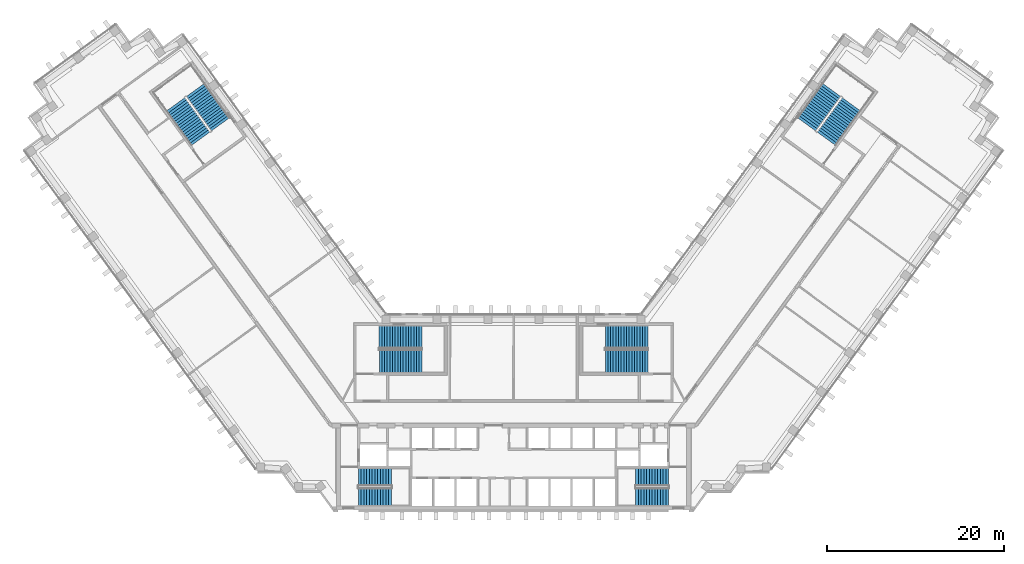
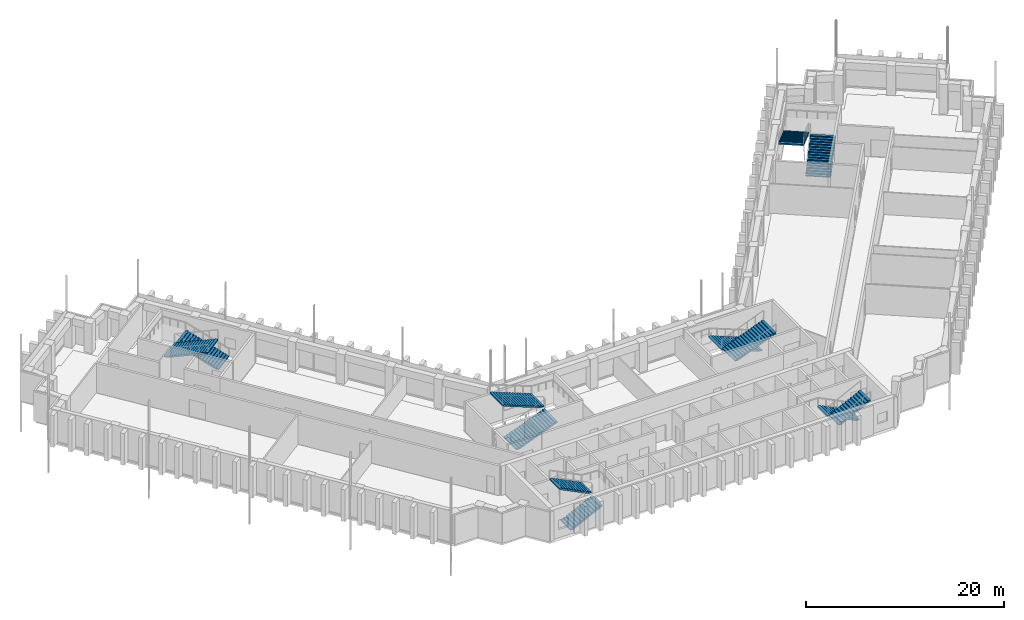
# One storey, part 15 of 18: 12 stair flights, 6 elements without a shape of their own.
"""IFC4 building model written with IfcOpenShell, lengths in metres."""

from ifc_helpers import new_model, si_unit, direction, frame, origin, place, context, subcontext, project, spatial, polyline, outline, extrude, material, type_object, element, aggregate, save


model = new_model("IFC4")

# Units and contexts
model_context = context("Model", 3, precision=1e-05, world=origin(), true_north=direction((0.0, 1.0)))
body_context = subcontext(model_context, "Body", "Model", "MODEL_VIEW")
ifc_project = project(units=[si_unit("LENGTHUNIT", "METRE"), si_unit("AREAUNIT", "SQUARE_METRE"), si_unit("VOLUMEUNIT", "CUBIC_METRE"), si_unit("PLANEANGLEUNIT", "RADIAN"), si_unit("MASSUNIT", "GRAM", prefix="KILO")], contexts=[model_context])

# Site, building, storey
site_placement = place(None, origin())
site = spatial("IfcSite", under=ifc_project, at=site_placement, CompositionType="ELEMENT")
building_placement = place(site_placement, origin())
building = spatial("IfcBuilding", under=site, at=building_placement, Name="Quipu Civic Tower", CompositionType="ELEMENT")
storey_placement = place(building_placement, frame((0.0, 0.0, 71.0)))
storey = spatial("IfcBuildingStorey", under=building, at=storey_placement, Name="L16", CompositionType="ELEMENT", Elevation=71.0)

# Stair, stair flights
ifc_material_1 = material(Name="Concrete C40/50", Category="concrete")
stair_type_1 = type_object("IfcStairType", Name="Half turn stair 2000", PredefinedType="HALF_TURN_STAIR", material=ifc_material_1)
stair_1_placement = place(storey_placement, origin())
stair_1 = element("IfcStair", 1, at=stair_1_placement, inside=storey, type_object=stair_type_1, Name="Exit stair 1", PredefinedType="HALF_TURN_STAIR")
ifc_material_2 = material(Name="Concrete C40/50", Category="concrete")
stair_flight_type_1 = type_object("IfcStairFlightType", Name="Stair flight 2000", PredefinedType="STRAIGHT", material=ifc_material_2)
stair_flight_1_placement = place(storey_placement, frame((-17.5, -9.5, 0.0), z_axis=(0.0, 0.0, 1.0), x_axis=(1.0, 0.0, 0.0)))
stair_flight_1 = element("IfcStairFlight", 2, at=stair_flight_1_placement, type_object=stair_flight_type_1, Name="ST-1 flight 1", NumberOfRisers=13, NumberOfTreads=12, PredefinedType="STRAIGHT", RiserHeight=0.153846154, TreadLength=0.31, context=body_context, shape_type="SweptSolid", body=[
    extrude(outline(polyline([(0.0, 0.0), (0.0, 0.15380859375), (0.31005859375, 0.15380859375), (0.31005859375, 0.3076171875), (0.6201171875, 0.3076171875), (0.6201171875, 0.46142578125), (0.929931640625, 0.46142578125), (0.929931640625, 0.615478515625), (1.239990234375, 0.615478515625), (1.239990234375, 0.769287109375), (1.550048828125, 0.769287109375), (1.550048828125, 0.923095703125), (1.860107421875, 0.923095703125), (1.860107421875, 1.076904296875), (2.169921875, 1.076904296875), (2.169921875, 1.230712890625), (2.47998046875, 1.230712890625), (2.47998046875, 1.384521484375), (2.7900390625, 1.384521484375), (2.7900390625, 1.53857421875), (3.10009765625, 1.53857421875), (3.10009765625, 1.6923828125), (3.409912109375, 1.6923828125), (3.409912109375, 1.84619140625), (3.719970703125, 1.84619140625), (3.719970703125, 2.0), (3.719970703125, 1.6787109375), (0.337158203125, 0.0), (0.0, 0.0)])), frame((0.0, 1.0, 0.0), z_axis=(0.0, -1.0, 0.0), x_axis=(1.0, 0.0, 0.0)), (0.0, 0.0, 1.0), 2.0),
])
stair_flight_2_placement = place(storey_placement, frame((-13.780029296875, -7.25, 2.0), z_axis=(0.0, 0.0, 1.0), x_axis=(-1.0, 0.0, 0.0)))
stair_flight_2 = element("IfcStairFlight", 3, at=stair_flight_2_placement, type_object=stair_flight_type_1, Name="ST-1 flight 2", NumberOfRisers=13, NumberOfTreads=12, PredefinedType="STRAIGHT", RiserHeight=0.153846154, TreadLength=0.31, context=body_context, shape_type="SweptSolid", body=[
    extrude(outline(polyline([(0.0, 0.0), (0.0, 0.15380859375), (0.31005859375, 0.15380859375), (0.31005859375, 0.3076171875), (0.6201171875, 0.3076171875), (0.6201171875, 0.46142578125), (0.929931640625, 0.46142578125), (0.929931640625, 0.615478515625), (1.239990234375, 0.615478515625), (1.239990234375, 0.769287109375), (1.550048828125, 0.769287109375), (1.550048828125, 0.923095703125), (1.860107421875, 0.923095703125), (1.860107421875, 1.076904296875), (2.169921875, 1.076904296875), (2.169921875, 1.230712890625), (2.47998046875, 1.230712890625), (2.47998046875, 1.384521484375), (2.7900390625, 1.384521484375), (2.7900390625, 1.53857421875), (3.10009765625, 1.53857421875), (3.10009765625, 1.6923828125), (3.409912109375, 1.6923828125), (3.409912109375, 1.84619140625), (3.719970703125, 1.84619140625), (3.719970703125, 2.0), (3.719970703125, 1.6787109375), (0.337158203125, 0.0), (0.0, 0.0)])), frame((0.0, 1.0, 0.0), z_axis=(0.0, -1.0, 0.0), x_axis=(1.0, 0.0, 0.0)), (0.0, 0.0, 1.0), 2.0),
])
aggregate(stair_1, [stair_flight_1, stair_flight_2])

stair_2_placement = place(storey_placement, origin())
stair_2 = element("IfcStair", 4, at=stair_2_placement, inside=storey, type_object=stair_type_1, Name="Exit stair 2", PredefinedType="HALF_TURN_STAIR")
stair_flight_3_placement = place(storey_placement, frame((17.5, -7.25, 0.0), z_axis=(0.0, 0.0, 1.0), x_axis=(-1.0, 0.0, 0.0)))
stair_flight_3 = element("IfcStairFlight", 5, at=stair_flight_3_placement, type_object=stair_flight_type_1, Name="ST-2 flight 1", NumberOfRisers=13, NumberOfTreads=12, PredefinedType="STRAIGHT", RiserHeight=0.153846154, TreadLength=0.31, context=body_context, shape_type="SweptSolid", body=[
    extrude(outline(polyline([(0.0, 0.0), (0.0, 0.15380859375), (0.31005859375, 0.15380859375), (0.31005859375, 0.3076171875), (0.6201171875, 0.3076171875), (0.6201171875, 0.46142578125), (0.929931640625, 0.46142578125), (0.929931640625, 0.615478515625), (1.239990234375, 0.615478515625), (1.239990234375, 0.769287109375), (1.550048828125, 0.769287109375), (1.550048828125, 0.923095703125), (1.860107421875, 0.923095703125), (1.860107421875, 1.076904296875), (2.169921875, 1.076904296875), (2.169921875, 1.230712890625), (2.47998046875, 1.230712890625), (2.47998046875, 1.384521484375), (2.7900390625, 1.384521484375), (2.7900390625, 1.53857421875), (3.10009765625, 1.53857421875), (3.10009765625, 1.6923828125), (3.409912109375, 1.6923828125), (3.409912109375, 1.84619140625), (3.719970703125, 1.84619140625), (3.719970703125, 2.0), (3.719970703125, 1.6787109375), (0.337158203125, 0.0), (0.0, 0.0)])), frame((0.0, 1.0, 0.0), z_axis=(0.0, -1.0, 0.0), x_axis=(1.0, 0.0, 0.0)), (0.0, 0.0, 1.0), 2.0),
])
stair_flight_4_placement = place(storey_placement, frame((13.780029296875, -9.5, 2.0), z_axis=(0.0, 0.0, 1.0), x_axis=(1.0, 0.0, 0.0)))
stair_flight_4 = element("IfcStairFlight", 6, at=stair_flight_4_placement, type_object=stair_flight_type_1, Name="ST-2 flight 2", NumberOfRisers=13, NumberOfTreads=12, PredefinedType="STRAIGHT", RiserHeight=0.153846154, TreadLength=0.31, context=body_context, shape_type="SweptSolid", body=[
    extrude(outline(polyline([(0.0, 0.0), (0.0, 0.15380859375), (0.31005859375, 0.15380859375), (0.31005859375, 0.3076171875), (0.6201171875, 0.3076171875), (0.6201171875, 0.46142578125), (0.929931640625, 0.46142578125), (0.929931640625, 0.615478515625), (1.239990234375, 0.615478515625), (1.239990234375, 0.769287109375), (1.550048828125, 0.769287109375), (1.550048828125, 0.923095703125), (1.860107421875, 0.923095703125), (1.860107421875, 1.076904296875), (2.169921875, 1.076904296875), (2.169921875, 1.230712890625), (2.47998046875, 1.230712890625), (2.47998046875, 1.384521484375), (2.7900390625, 1.384521484375), (2.7900390625, 1.53857421875), (3.10009765625, 1.53857421875), (3.10009765625, 1.6923828125), (3.409912109375, 1.6923828125), (3.409912109375, 1.84619140625), (3.719970703125, 1.84619140625), (3.719970703125, 2.0), (3.719970703125, 1.6787109375), (0.337158203125, 0.0), (0.0, 0.0)])), frame((0.0, 1.0, 0.0), z_axis=(0.0, -1.0, 0.0), x_axis=(1.0, 0.0, 0.0)), (0.0, 0.0, 1.0), 2.0),
])
aggregate(stair_2, [stair_flight_3, stair_flight_4])

ifc_material_3 = material(Name="Concrete C40/50", Category="concrete")
stair_type_2 = type_object("IfcStairType", Name="Half turn stair 2600", PredefinedType="HALF_TURN_STAIR", material=ifc_material_3)
stair_3_placement = place(storey_placement, origin())
stair_3 = element("IfcStair", 7, at=stair_3_placement, inside=storey, type_object=stair_type_2, Name="Exit stair 3", PredefinedType="HALF_TURN_STAIR")
ifc_material_4 = material(Name="Concrete C40/50", Category="concrete")
stair_flight_type_2 = type_object("IfcStairFlightType", Name="Stair flight 2600", PredefinedType="STRAIGHT", material=ifc_material_4)
stair_flight_5_placement = place(storey_placement, frame((-15.14990234375, 5.800048828125, 0.0), z_axis=(0.0, 0.0, 1.0), x_axis=(1.0, 0.0, 0.0)))
stair_flight_5 = element("IfcStairFlight", 8, at=stair_flight_5_placement, type_object=stair_flight_type_2, Name="ST-3 flight 1", NumberOfRisers=17, NumberOfTreads=16, PredefinedType="STRAIGHT", RiserHeight=0.117647059, TreadLength=0.3, context=body_context, shape_type="SweptSolid", body=[
    extrude(outline(polyline([(0.0, 0.0), (0.0, 0.11767578125), (0.300048828125, 0.11767578125), (0.300048828125, 0.2353515625), (0.60009765625, 0.2353515625), (0.60009765625, 0.35302734375), (0.89990234375, 0.35302734375), (0.89990234375, 0.470703125), (1.199951171875, 0.470703125), (1.199951171875, 0.588134765625), (1.5, 0.588134765625), (1.5, 0.705810546875), (1.800048828125, 0.705810546875), (1.800048828125, 0.823486328125), (2.10009765625, 0.823486328125), (2.10009765625, 0.941162109375), (2.39990234375, 0.941162109375), (2.39990234375, 1.058837890625), (2.699951171875, 1.058837890625), (2.699951171875, 1.176513671875), (3.0, 1.176513671875), (3.0, 1.294189453125), (3.300048828125, 1.294189453125), (3.300048828125, 1.411865234375), (3.60009765625, 1.411865234375), (3.60009765625, 1.529296875), (3.89990234375, 1.529296875), (3.89990234375, 1.64697265625), (4.199951171875, 1.64697265625), (4.199951171875, 1.7646484375), (4.5, 1.7646484375), (4.5, 1.88232421875), (4.800048828125, 1.88232421875), (4.800048828125, 2.0), (4.800048828125, 1.721435546875), (0.41064453125, 0.0), (0.0, 0.0)])), frame((0.0, 1.300048828125, 0.0), z_axis=(0.0, -1.0, 0.0), x_axis=(1.0, 0.0, 0.0)), (0.0, 0.0, 1.0), 2.60009765625),
])
stair_flight_6_placement = place(storey_placement, frame((-10.35009765625, 8.550048828125, 2.0), z_axis=(0.0, 0.0, 1.0), x_axis=(-1.0, 0.0, 0.0)))
stair_flight_6 = element("IfcStairFlight", 9, at=stair_flight_6_placement, type_object=stair_flight_type_2, Name="ST-3 flight 2", NumberOfRisers=17, NumberOfTreads=16, PredefinedType="STRAIGHT", RiserHeight=0.117647059, TreadLength=0.3, context=body_context, shape_type="SweptSolid", body=[
    extrude(outline(polyline([(0.0, 0.0), (0.0, 0.11767578125), (0.300048828125, 0.11767578125), (0.300048828125, 0.2353515625), (0.60009765625, 0.2353515625), (0.60009765625, 0.35302734375), (0.89990234375, 0.35302734375), (0.89990234375, 0.470703125), (1.199951171875, 0.470703125), (1.199951171875, 0.588134765625), (1.5, 0.588134765625), (1.5, 0.705810546875), (1.800048828125, 0.705810546875), (1.800048828125, 0.823486328125), (2.10009765625, 0.823486328125), (2.10009765625, 0.941162109375), (2.39990234375, 0.941162109375), (2.39990234375, 1.058837890625), (2.699951171875, 1.058837890625), (2.699951171875, 1.176513671875), (3.0, 1.176513671875), (3.0, 1.294189453125), (3.300048828125, 1.294189453125), (3.300048828125, 1.411865234375), (3.60009765625, 1.411865234375), (3.60009765625, 1.529296875), (3.89990234375, 1.529296875), (3.89990234375, 1.64697265625), (4.199951171875, 1.64697265625), (4.199951171875, 1.7646484375), (4.5, 1.7646484375), (4.5, 1.88232421875), (4.800048828125, 1.88232421875), (4.800048828125, 2.0), (4.800048828125, 1.721435546875), (0.41064453125, 0.0), (0.0, 0.0)])), frame((0.0, 1.300048828125, 0.0), z_axis=(0.0, -1.0, 0.0), x_axis=(1.0, 0.0, 0.0)), (0.0, 0.0, 1.0), 2.60009765625),
])
aggregate(stair_3, [stair_flight_5, stair_flight_6])

stair_4_placement = place(storey_placement, origin())
stair_4 = element("IfcStair", 10, at=stair_4_placement, inside=storey, type_object=stair_type_2, Name="Exit stair 4", PredefinedType="HALF_TURN_STAIR")
stair_flight_7_placement = place(storey_placement, frame((15.14990234375, 8.550048828125, 0.0), z_axis=(0.0, 0.0, 1.0), x_axis=(-1.0, 0.0, 0.0)))
stair_flight_7 = element("IfcStairFlight", 11, at=stair_flight_7_placement, type_object=stair_flight_type_2, Name="ST-4 flight 1", NumberOfRisers=17, NumberOfTreads=16, PredefinedType="STRAIGHT", RiserHeight=0.117647059, TreadLength=0.3, context=body_context, shape_type="SweptSolid", body=[
    extrude(outline(polyline([(0.0, 0.0), (0.0, 0.11767578125), (0.300048828125, 0.11767578125), (0.300048828125, 0.2353515625), (0.60009765625, 0.2353515625), (0.60009765625, 0.35302734375), (0.89990234375, 0.35302734375), (0.89990234375, 0.470703125), (1.199951171875, 0.470703125), (1.199951171875, 0.588134765625), (1.5, 0.588134765625), (1.5, 0.705810546875), (1.800048828125, 0.705810546875), (1.800048828125, 0.823486328125), (2.10009765625, 0.823486328125), (2.10009765625, 0.941162109375), (2.39990234375, 0.941162109375), (2.39990234375, 1.058837890625), (2.699951171875, 1.058837890625), (2.699951171875, 1.176513671875), (3.0, 1.176513671875), (3.0, 1.294189453125), (3.300048828125, 1.294189453125), (3.300048828125, 1.411865234375), (3.60009765625, 1.411865234375), (3.60009765625, 1.529296875), (3.89990234375, 1.529296875), (3.89990234375, 1.64697265625), (4.199951171875, 1.64697265625), (4.199951171875, 1.7646484375), (4.5, 1.7646484375), (4.5, 1.88232421875), (4.800048828125, 1.88232421875), (4.800048828125, 2.0), (4.800048828125, 1.721435546875), (0.41064453125, 0.0), (0.0, 0.0)])), frame((0.0, 1.300048828125, 0.0), z_axis=(0.0, -1.0, 0.0), x_axis=(1.0, 0.0, 0.0)), (0.0, 0.0, 1.0), 2.60009765625),
])
stair_flight_8_placement = place(storey_placement, frame((10.35009765625, 5.800048828125, 2.0), z_axis=(0.0, 0.0, 1.0), x_axis=(1.0, 0.0, 0.0)))
stair_flight_8 = element("IfcStairFlight", 12, at=stair_flight_8_placement, type_object=stair_flight_type_2, Name="ST-4 flight 2", NumberOfRisers=17, NumberOfTreads=16, PredefinedType="STRAIGHT", RiserHeight=0.117647059, TreadLength=0.3, context=body_context, shape_type="SweptSolid", body=[
    extrude(outline(polyline([(0.0, 0.0), (0.0, 0.11767578125), (0.300048828125, 0.11767578125), (0.300048828125, 0.2353515625), (0.60009765625, 0.2353515625), (0.60009765625, 0.35302734375), (0.89990234375, 0.35302734375), (0.89990234375, 0.470703125), (1.199951171875, 0.470703125), (1.199951171875, 0.588134765625), (1.5, 0.588134765625), (1.5, 0.705810546875), (1.800048828125, 0.705810546875), (1.800048828125, 0.823486328125), (2.10009765625, 0.823486328125), (2.10009765625, 0.941162109375), (2.39990234375, 0.941162109375), (2.39990234375, 1.058837890625), (2.699951171875, 1.058837890625), (2.699951171875, 1.176513671875), (3.0, 1.176513671875), (3.0, 1.294189453125), (3.300048828125, 1.294189453125), (3.300048828125, 1.411865234375), (3.60009765625, 1.411865234375), (3.60009765625, 1.529296875), (3.89990234375, 1.529296875), (3.89990234375, 1.64697265625), (4.199951171875, 1.64697265625), (4.199951171875, 1.7646484375), (4.5, 1.7646484375), (4.5, 1.88232421875), (4.800048828125, 1.88232421875), (4.800048828125, 2.0), (4.800048828125, 1.721435546875), (0.41064453125, 0.0), (0.0, 0.0)])), frame((0.0, 1.300048828125, 0.0), z_axis=(0.0, -1.0, 0.0), x_axis=(1.0, 0.0, 0.0)), (0.0, 0.0, 1.0), 2.60009765625),
])
aggregate(stair_4, [stair_flight_7, stair_flight_8])

stair_5_placement = place(storey_placement, origin())
stair_5 = element("IfcStair", 13, at=stair_5_placement, inside=storey, type_object=stair_type_2, Name="Exit stair 6", PredefinedType="HALF_TURN_STAIR")
stair_flight_9_placement = place(storey_placement, frame((-33.067626953125, 32.5322265625, 0.0), z_axis=(0.0, 0.0, 1.0), x_axis=(-0.587785252292, 0.809016994375, 0.0)))
stair_flight_9 = element("IfcStairFlight", 14, at=stair_flight_9_placement, type_object=stair_flight_type_2, Name="ST-6 flight 1", NumberOfRisers=17, NumberOfTreads=16, PredefinedType="STRAIGHT", RiserHeight=0.117647059, TreadLength=0.3, context=body_context, shape_type="SweptSolid", body=[
    extrude(outline(polyline([(0.0, 0.0), (0.0, 0.11767578125), (0.300048828125, 0.11767578125), (0.300048828125, 0.2353515625), (0.60009765625, 0.2353515625), (0.60009765625, 0.35302734375), (0.89990234375, 0.35302734375), (0.89990234375, 0.470703125), (1.199951171875, 0.470703125), (1.199951171875, 0.588134765625), (1.5, 0.588134765625), (1.5, 0.705810546875), (1.800048828125, 0.705810546875), (1.800048828125, 0.823486328125), (2.10009765625, 0.823486328125), (2.10009765625, 0.941162109375), (2.39990234375, 0.941162109375), (2.39990234375, 1.058837890625), (2.699951171875, 1.058837890625), (2.699951171875, 1.176513671875), (3.0, 1.176513671875), (3.0, 1.294189453125), (3.300048828125, 1.294189453125), (3.300048828125, 1.411865234375), (3.60009765625, 1.411865234375), (3.60009765625, 1.529296875), (3.89990234375, 1.529296875), (3.89990234375, 1.64697265625), (4.199951171875, 1.64697265625), (4.199951171875, 1.7646484375), (4.5, 1.7646484375), (4.5, 1.88232421875), (4.800048828125, 1.88232421875), (4.800048828125, 2.0), (4.800048828125, 1.721435546875), (0.41064453125, 0.0), (0.0, 0.0)])), frame((0.0, 1.300048828125, 0.0), z_axis=(0.0, -1.0, 0.0), x_axis=(1.0, 0.0, 0.0)), (0.0, 0.0, 1.0), 2.60009765625),
])
stair_flight_10_placement = place(storey_placement, frame((-38.11376953125, 34.799072265625, 2.0), z_axis=(0.0, 0.0, 1.0), x_axis=(0.587785252292, -0.809016994375, 0.0)))
stair_flight_10 = element("IfcStairFlight", 15, at=stair_flight_10_placement, type_object=stair_flight_type_2, Name="ST-6 flight 2", NumberOfRisers=17, NumberOfTreads=16, PredefinedType="STRAIGHT", RiserHeight=0.117647059, TreadLength=0.3, context=body_context, shape_type="SweptSolid", body=[
    extrude(outline(polyline([(0.0, 0.0), (0.0, 0.11767578125), (0.300048828125, 0.11767578125), (0.300048828125, 0.2353515625), (0.60009765625, 0.2353515625), (0.60009765625, 0.35302734375), (0.89990234375, 0.35302734375), (0.89990234375, 0.470703125), (1.199951171875, 0.470703125), (1.199951171875, 0.588134765625), (1.5, 0.588134765625), (1.5, 0.705810546875), (1.800048828125, 0.705810546875), (1.800048828125, 0.823486328125), (2.10009765625, 0.823486328125), (2.10009765625, 0.941162109375), (2.39990234375, 0.941162109375), (2.39990234375, 1.058837890625), (2.699951171875, 1.058837890625), (2.699951171875, 1.176513671875), (3.0, 1.176513671875), (3.0, 1.294189453125), (3.300048828125, 1.294189453125), (3.300048828125, 1.411865234375), (3.60009765625, 1.411865234375), (3.60009765625, 1.529296875), (3.89990234375, 1.529296875), (3.89990234375, 1.64697265625), (4.199951171875, 1.64697265625), (4.199951171875, 1.7646484375), (4.5, 1.7646484375), (4.5, 1.88232421875), (4.800048828125, 1.88232421875), (4.800048828125, 2.0), (4.800048828125, 1.721435546875), (0.41064453125, 0.0), (0.0, 0.0)])), frame((0.0, 1.300048828125, 0.0), z_axis=(0.0, -1.0, 0.0), x_axis=(1.0, 0.0, 0.0)), (0.0, 0.0, 1.0), 2.60009765625),
])
aggregate(stair_5, [stair_flight_9, stair_flight_10])

stair_6_placement = place(storey_placement, origin())
stair_6 = element("IfcStair", 16, at=stair_6_placement, inside=storey, type_object=stair_type_2, Name="Exit stair 7", PredefinedType="HALF_TURN_STAIR")
stair_flight_11_placement = place(storey_placement, frame((35.29248046875, 30.915771484375, 0.0), z_axis=(0.0, 0.0, 1.0), x_axis=(0.587785252292, 0.809016994375, 0.0)))
stair_flight_11 = element("IfcStairFlight", 17, at=stair_flight_11_placement, type_object=stair_flight_type_2, Name="ST-7 flight 1", NumberOfRisers=17, NumberOfTreads=16, PredefinedType="STRAIGHT", RiserHeight=0.117647059, TreadLength=0.3, context=body_context, shape_type="SweptSolid", body=[
    extrude(outline(polyline([(0.0, 0.0), (0.0, 0.11767578125), (0.300048828125, 0.11767578125), (0.300048828125, 0.2353515625), (0.60009765625, 0.2353515625), (0.60009765625, 0.35302734375), (0.89990234375, 0.35302734375), (0.89990234375, 0.470703125), (1.199951171875, 0.470703125), (1.199951171875, 0.588134765625), (1.5, 0.588134765625), (1.5, 0.705810546875), (1.800048828125, 0.705810546875), (1.800048828125, 0.823486328125), (2.10009765625, 0.823486328125), (2.10009765625, 0.941162109375), (2.39990234375, 0.941162109375), (2.39990234375, 1.058837890625), (2.699951171875, 1.058837890625), (2.699951171875, 1.176513671875), (3.0, 1.176513671875), (3.0, 1.294189453125), (3.300048828125, 1.294189453125), (3.300048828125, 1.411865234375), (3.60009765625, 1.411865234375), (3.60009765625, 1.529296875), (3.89990234375, 1.529296875), (3.89990234375, 1.64697265625), (4.199951171875, 1.64697265625), (4.199951171875, 1.7646484375), (4.5, 1.7646484375), (4.5, 1.88232421875), (4.800048828125, 1.88232421875), (4.800048828125, 2.0), (4.800048828125, 1.721435546875), (0.41064453125, 0.0), (0.0, 0.0)])), frame((0.0, 1.300048828125, 0.0), z_axis=(0.0, -1.0, 0.0), x_axis=(1.0, 0.0, 0.0)), (0.0, 0.0, 1.0), 2.60009765625),
])
stair_flight_12_placement = place(storey_placement, frame((35.888916015625, 36.41552734375, 2.0), z_axis=(0.0, 0.0, 1.0), x_axis=(-0.587785252292, -0.809016994375, 0.0)))
stair_flight_12 = element("IfcStairFlight", 18, at=stair_flight_12_placement, type_object=stair_flight_type_2, Name="ST-7 flight 2", NumberOfRisers=17, NumberOfTreads=16, PredefinedType="STRAIGHT", RiserHeight=0.117647059, TreadLength=0.3, context=body_context, shape_type="SweptSolid", body=[
    extrude(outline(polyline([(0.0, 0.0), (0.0, 0.11767578125), (0.300048828125, 0.11767578125), (0.300048828125, 0.2353515625), (0.60009765625, 0.2353515625), (0.60009765625, 0.35302734375), (0.89990234375, 0.35302734375), (0.89990234375, 0.470703125), (1.199951171875, 0.470703125), (1.199951171875, 0.588134765625), (1.5, 0.588134765625), (1.5, 0.705810546875), (1.800048828125, 0.705810546875), (1.800048828125, 0.823486328125), (2.10009765625, 0.823486328125), (2.10009765625, 0.941162109375), (2.39990234375, 0.941162109375), (2.39990234375, 1.058837890625), (2.699951171875, 1.058837890625), (2.699951171875, 1.176513671875), (3.0, 1.176513671875), (3.0, 1.294189453125), (3.300048828125, 1.294189453125), (3.300048828125, 1.411865234375), (3.60009765625, 1.411865234375), (3.60009765625, 1.529296875), (3.89990234375, 1.529296875), (3.89990234375, 1.64697265625), (4.199951171875, 1.64697265625), (4.199951171875, 1.7646484375), (4.5, 1.7646484375), (4.5, 1.88232421875), (4.800048828125, 1.88232421875), (4.800048828125, 2.0), (4.800048828125, 1.721435546875), (0.41064453125, 0.0), (0.0, 0.0)])), frame((0.0, 1.300048828125, 0.0), z_axis=(0.0, -1.0, 0.0), x_axis=(1.0, 0.0, 0.0)), (0.0, 0.0, 1.0), 2.60009765625),
])
aggregate(stair_6, [stair_flight_11, stair_flight_12])

save(model, "model.ifc")
